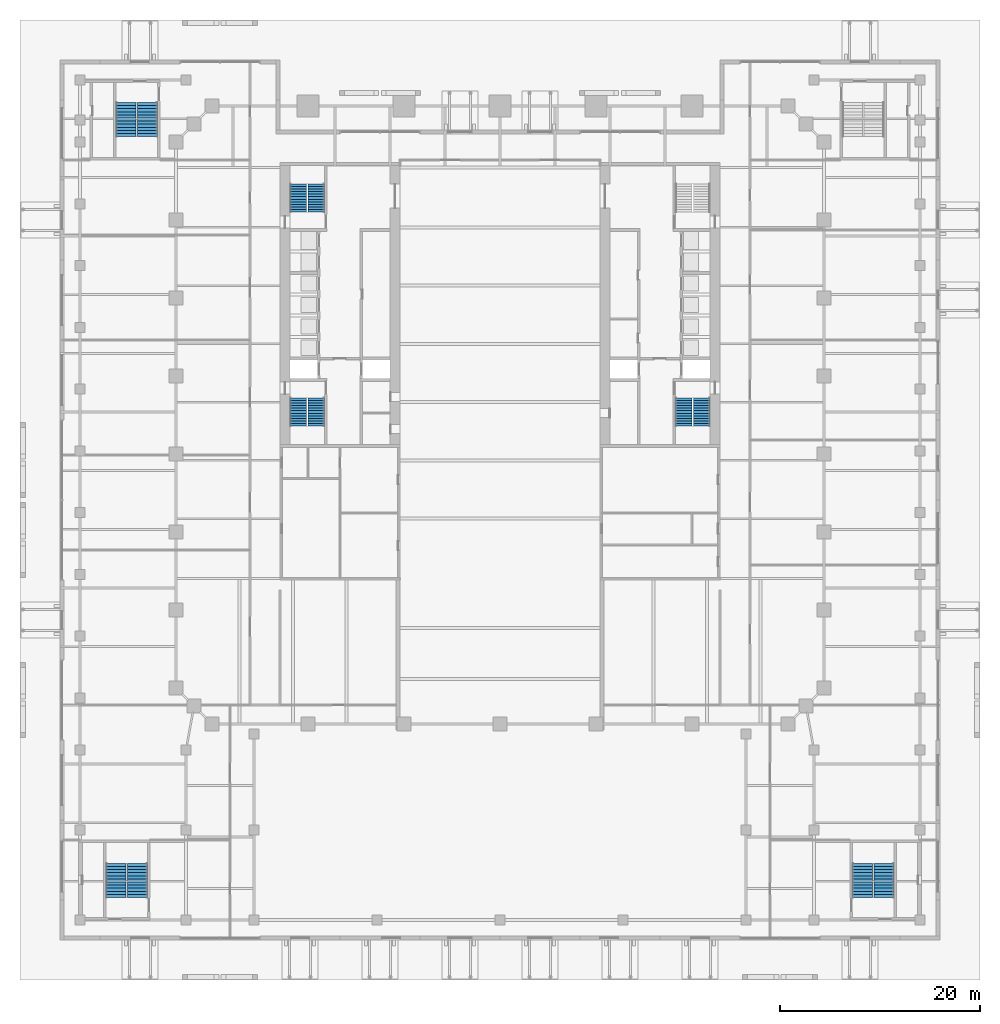
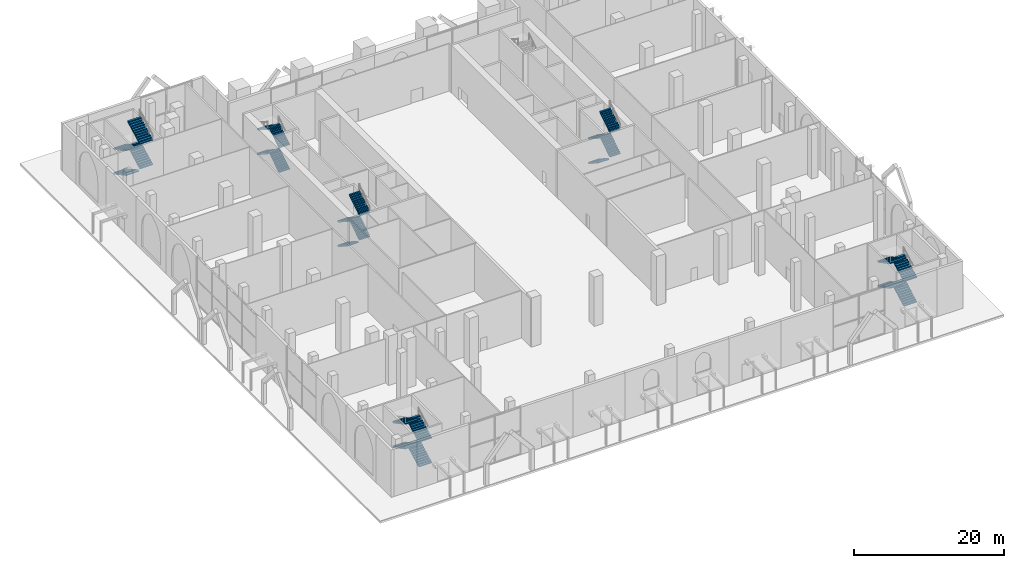
# One storey, part 35 of 38: 24 stair flights, 6 elements without a shape of their own.
"""IFC4 building model written with IfcOpenShell, lengths in metres."""

import ifcopenshell
import ifcopenshell.guid

model = None  # the IFC model being written
_history = None  # IfcOwnerHistory: only IFC2X3 demands one
_inside = {}  # id of a spatial element -> (the spatial element, [elements in it])
_under = {}  # id of a project, library or spatial element -> (it, [spatial elements below it])
_declared = {}  # id of a project -> (the project, [libraries it declares])
_typed = {}  # id of a type object -> (the type object, [elements of that type])
_made_of = {}  # id of a material, layer set ... -> (it, [elements and type objects made of it])


def new_model(schema):
    """Start an empty IFC model of exactly this schema.

    Asked for "IFC4X3", IfcOpenShell would pick the latest addendum, in which some entities
    have other attributes; the version numbers below select the first issue.
    IFC2X3 requires an IfcOwnerHistory on every rooted entity: one is made here for all.
    """
    global model, _history
    if schema == "IFC4X3":
        model = ifcopenshell.file(schema_version=(4, 3, 0, 0))
    else:
        model = ifcopenshell.file(schema=schema)
    _inside.clear()
    _under.clear()
    _declared.clear()
    _typed.clear()
    _made_of.clear()
    _history = None
    if model.schema == "IFC2X3":
        org = make("IfcOrganization", Name="unknown")
        user = make(
            "IfcPersonAndOrganization",
            ThePerson=make("IfcPerson", FamilyName="unknown"),
            TheOrganization=org,
        )
        app = make(
            "IfcApplication",
            ApplicationDeveloper=org,
            Version="unknown",
            ApplicationFullName="unknown",
            ApplicationIdentifier="unknown",
        )
        _history = make(
            "IfcOwnerHistory",
            OwningUser=user,
            OwningApplication=app,
            ChangeAction="ADDED",
            CreationDate=0,
        )
    return model


def make(cls, **values):
    """One entity of the class cls with the attributes given. An attribute that is None is left unset."""
    return model.create_entity(
        cls, **{name: value for name, value in values.items() if value is not None}
    )


def rooted(cls, **values):
    """An entity with a GlobalId (a new one), such as an element, a storey or a relation."""
    return make(cls, GlobalId=ifcopenshell.guid.new(), OwnerHistory=_history, **values)


def si_unit(unit_type, name, prefix=None):
    """IfcSIUnit, for example si_unit("LENGTHUNIT", "METRE", prefix="MILLI")."""
    return make("IfcSIUnit", UnitType=unit_type, Prefix=prefix, Name=name)


def assignment(units):
    """IfcUnitAssignment: the units of a project."""
    return None if units is None else make("IfcUnitAssignment", Units=units)


def point(xyz):
    """IfcCartesianPoint."""
    return None if xyz is None else make("IfcCartesianPoint", Coordinates=xyz)


def direction(xyz):
    """IfcDirection."""
    return None if xyz is None else make("IfcDirection", DirectionRatios=xyz)


def frame(location, z_axis=None, x_axis=None):
    """IfcAxis2Placement3D, a coordinate frame: its origin and axes. An axis left out is left unset."""
    return make(
        "IfcAxis2Placement3D",
        Location=point(location),
        Axis=direction(z_axis),
        RefDirection=direction(x_axis),
    )


def origin():
    """The frame at (0, 0, 0) with its axes left unset."""
    return frame((0.0, 0.0, 0.0))


def place(relative_to, where):
    """IfcLocalPlacement: puts the frame where relative to a parent placement (None: the world)."""
    return make(
        "IfcLocalPlacement", PlacementRelTo=relative_to, RelativePlacement=where
    )


def context(
    kind, dimensions, precision=None, world=None, true_north=None, identifier=None
):
    """IfcGeometricRepresentationContext, for example the 3D "Model" context."""
    return make(
        "IfcGeometricRepresentationContext",
        ContextIdentifier=identifier,
        ContextType=kind,
        CoordinateSpaceDimension=dimensions,
        Precision=precision,
        WorldCoordinateSystem=world,
        TrueNorth=true_north,
    )


def subcontext(parent, identifier, kind, view, scale=None):
    """IfcGeometricRepresentationSubContext, for example "Body" below "Model"."""
    return make(
        "IfcGeometricRepresentationSubContext",
        ContextIdentifier=identifier,
        ContextType=kind,
        ParentContext=parent,
        TargetScale=scale,
        TargetView=view,
    )


def project(units=None, contexts=None):
    """IfcProject with its units and contexts."""
    return rooted(
        "IfcProject",
        Name="project",
        RepresentationContexts=contexts,
        UnitsInContext=assignment(units),
    )


def spatial(cls, under=None, at=None, **own):
    """A site, building, storey or space (cls), placed at a placement, below another one or the project."""
    s = rooted(cls, ObjectPlacement=at, **own)
    if under is not None:
        _under.setdefault(under.id(), (under, []))[1].append(s)
    return s


def polyline(points):
    """IfcPolyline through the points."""
    return make("IfcPolyline", Points=[point(p) for p in points])


def outline(outer, holes=None, kind="AREA"):
    """IfcArbitraryClosedProfileDef: a profile drawn as a closed curve; with holes, ...WithVoids."""
    if holes is None:
        return make("IfcArbitraryClosedProfileDef", ProfileType=kind, OuterCurve=outer)
    return make(
        "IfcArbitraryProfileDefWithVoids",
        ProfileType=kind,
        OuterCurve=outer,
        InnerCurves=holes,
    )


def extrude(swept, where, along, depth):
    """IfcExtrudedAreaSolid: the profile swept, set in the frame where, extruded along a direction by depth."""
    return make(
        "IfcExtrudedAreaSolid",
        SweptArea=swept,
        Position=where,
        ExtrudedDirection=direction(along),
        Depth=depth,
    )


def shape(context_of_items, identifier, shape_type, items):
    """IfcShapeRepresentation: the items that make up one representation, for example the "Body"."""
    return make(
        "IfcShapeRepresentation",
        ContextOfItems=context_of_items,
        RepresentationIdentifier=identifier,
        RepresentationType=shape_type,
        Items=items,
    )


def material(Name=None, Category=None):
    """IfcMaterial."""
    return make("IfcMaterial", Name=Name, Category=Category)


def made_of(thing, what):
    """Note that an element or type object is made of a material, layer set ...; save() writes the relation."""
    if what is not None:
        _made_of.setdefault(what.id(), (what, []))[1].append(thing)
    return thing


def type_object(cls, material=None, **own):
    """A type object (cls), such as IfcWallType, which elements share."""
    return made_of(rooted(cls, **own), material)


def element(
    cls,
    number,
    at=None,
    inside=None,
    cuts=None,
    type_object=None,
    material=None,
    context=None,
    identifier="Body",
    shape_type=None,
    held_by="IfcProductDefinitionShape",
    body=None,
    shapes=None,
    **own,
):
    """One element of the class cls, such as IfcWall. Its Tag is "e" and its number.

    at: its placement. inside: the storey or other place that contains it. cuts: it is an
    opening in that element (IfcRelVoidsElement). A single representation is given by context,
    identifier, shape_type and body (its items); several are given by shapes. held_by: the class
    of the entity that holds the representations. save() writes the other relations.
    """
    e = rooted(cls, Tag="e%d" % number, ObjectPlacement=at, **own)
    if body is not None:
        shapes = [shape(context, identifier, shape_type, body)]
    if shapes is not None:
        e.Representation = make(held_by, Representations=shapes)
    if inside is not None:
        _inside.setdefault(inside.id(), (inside, []))[1].append(e)
    if cuts is not None:
        rooted(
            "IfcRelVoidsElement", RelatingBuildingElement=cuts, RelatedOpeningElement=e
        )
    if type_object is not None:
        _typed.setdefault(type_object.id(), (type_object, []))[1].append(e)
    return made_of(e, material)


def aggregate(whole, parts):
    """IfcRelAggregates: a whole, such as a stair, and the parts it consists of."""
    return rooted("IfcRelAggregates", RelatingObject=whole, RelatedObjects=parts)


def save(model, path):
    """Write the relations noted so far, then the file.

    IfcRelAggregates (storeys below a building ...), IfcRelContainedInSpatialStructure (elements
    in a storey), IfcRelDefinesByType, IfcRelAssociatesMaterial and IfcRelDeclares: one each for
    every whole, place, type object, material and project.
    """
    for whole, parts in _under.values():
        aggregate(whole, parts)
    for where, things in _inside.values():
        rooted(
            "IfcRelContainedInSpatialStructure",
            RelatedElements=things,
            RelatingStructure=where,
        )
    for kind, things in _typed.values():
        rooted("IfcRelDefinesByType", RelatedObjects=things, RelatingType=kind)
    for what, things in _made_of.values():
        rooted("IfcRelAssociatesMaterial", RelatedObjects=things, RelatingMaterial=what)
    for by, libraries in _declared.values():
        rooted("IfcRelDeclares", RelatingContext=by, RelatedDefinitions=libraries)
    model.write(path)


model = new_model("IFC4")

# Units and contexts
model_context = context("Model", 3, precision=1e-05, world=origin(), true_north=direction((0.0, 1.0)))
body_context = subcontext(model_context, "Body", "Model", "MODEL_VIEW")
ifc_project = project(units=[si_unit("LENGTHUNIT", "METRE"), si_unit("AREAUNIT", "SQUARE_METRE"), si_unit("VOLUMEUNIT", "CUBIC_METRE"), si_unit("PLANEANGLEUNIT", "RADIAN"), si_unit("MASSUNIT", "GRAM", prefix="KILO")], contexts=[model_context])

# Site, building, storey
site_placement = place(None, origin())
site = spatial("IfcSite", under=ifc_project, at=site_placement, CompositionType="ELEMENT")
building_placement = place(site_placement, origin())
building = spatial("IfcBuilding", under=site, at=building_placement, Name="Ogive Exchange Tower", CompositionType="ELEMENT")
storey_placement = place(building_placement, origin())
storey = spatial("IfcBuildingStorey", under=building, at=storey_placement, Name="L00", CompositionType="ELEMENT", Elevation=0.0)

# Stair, stair flights
ifc_material = material(Name="Concrete C40/50", Category="concrete")
stair_type_1 = type_object("IfcStairType", Name="Exit stair 1650 wide", PredefinedType="HALF_TURN_STAIR", material=ifc_material)
stair_1_placement = place(storey_placement, origin())
stair_1 = element("IfcStair", 1, at=stair_1_placement, inside=storey, type_object=stair_type_1, Name="L00 exit stair ST1", PredefinedType="HALF_TURN_STAIR")
stair_flight_type_1 = type_object("IfcStairFlightType", Name="Stair flight 1650 wide", PredefinedType="STRAIGHT", material=ifc_material)
stair_flight_1_placement = place(storey_placement, frame((-20.175048828125, 2.199951171875, 0.0), z_axis=(0.0, 0.0, 1.0), x_axis=(0.0, -1.0, 0.0)))
stair_flight_1 = element("IfcStairFlight", 2, at=stair_flight_1_placement, type_object=stair_flight_type_1, Name="ST1 flight 1", NumberOfRisers=12, NumberOfTreads=11, PredefinedType="STRAIGHT", RiserHeight=0.166666667, TreadLength=0.255, context=body_context, shape_type="SweptSolid", body=[
    extrude(outline(polyline([(0.0, 0.0), (0.0, 0.166748046875), (0.2548828125, 0.166748046875), (0.2548828125, 0.333251953125), (0.510009765625, 0.333251953125), (0.510009765625, 0.5), (0.764892578125, 0.5), (0.764892578125, 0.666748046875), (1.02001953125, 0.666748046875), (1.02001953125, 0.833251953125), (1.27490234375, 0.833251953125), (1.27490234375, 1.0), (1.530029296875, 1.0), (1.530029296875, 1.166748046875), (1.784912109375, 1.166748046875), (1.784912109375, 1.333251953125), (2.0400390625, 1.333251953125), (2.0400390625, 1.5), (2.294921875, 1.5), (2.294921875, 1.666748046875), (2.550048828125, 1.666748046875), (2.550048828125, 1.833251953125), (2.804931640625, 1.833251953125), (2.804931640625, 2.0), (2.804931640625, 1.654296875), (0.27392578125, 0.0), (0.0, 0.0)])), frame((0.0, 0.824951171875, 0.0), z_axis=(0.0, -1.0, 0.0), x_axis=(1.0, 0.0, 0.0)), (0.0, 0.0, 1.0), 1.64990234375),
])
stair_flight_2_placement = place(storey_placement, frame((-18.375, -0.60498046875, 2.0), z_axis=(0.0, 0.0, 1.0), x_axis=(0.0, 1.0, 0.0)))
stair_flight_2 = element("IfcStairFlight", 3, at=stair_flight_2_placement, type_object=stair_flight_type_1, Name="ST1 flight 2", NumberOfRisers=12, NumberOfTreads=11, PredefinedType="STRAIGHT", RiserHeight=0.166666667, TreadLength=0.255, context=body_context, shape_type="SweptSolid", body=[
    extrude(outline(polyline([(0.0, 0.0), (0.0, 0.166748046875), (0.2548828125, 0.166748046875), (0.2548828125, 0.333251953125), (0.510009765625, 0.333251953125), (0.510009765625, 0.5), (0.764892578125, 0.5), (0.764892578125, 0.666748046875), (1.02001953125, 0.666748046875), (1.02001953125, 0.833251953125), (1.27490234375, 0.833251953125), (1.27490234375, 1.0), (1.530029296875, 1.0), (1.530029296875, 1.166748046875), (1.784912109375, 1.166748046875), (1.784912109375, 1.333251953125), (2.0400390625, 1.333251953125), (2.0400390625, 1.5), (2.294921875, 1.5), (2.294921875, 1.666748046875), (2.550048828125, 1.666748046875), (2.550048828125, 1.833251953125), (2.804931640625, 1.833251953125), (2.804931640625, 2.0), (2.804931640625, 1.654296875), (0.27392578125, 0.0), (0.0, 0.0)])), frame((0.0, 0.824951171875, 0.0), z_axis=(0.0, -1.0, 0.0), x_axis=(1.0, 0.0, 0.0)), (0.0, 0.0, 1.0), 1.64990234375),
])
stair_flight_3_placement = place(storey_placement, frame((-20.175048828125, 2.199951171875, 4.0), z_axis=(0.0, 0.0, 1.0), x_axis=(0.0, -1.0, 0.0)))
stair_flight_3 = element("IfcStairFlight", 4, at=stair_flight_3_placement, type_object=stair_flight_type_1, Name="ST1 flight 3", NumberOfRisers=12, NumberOfTreads=11, PredefinedType="STRAIGHT", RiserHeight=0.166666667, TreadLength=0.255, context=body_context, shape_type="SweptSolid", body=[
    extrude(outline(polyline([(0.0, 0.0), (0.0, 0.166748046875), (0.2548828125, 0.166748046875), (0.2548828125, 0.333251953125), (0.510009765625, 0.333251953125), (0.510009765625, 0.5), (0.764892578125, 0.5), (0.764892578125, 0.666748046875), (1.02001953125, 0.666748046875), (1.02001953125, 0.833251953125), (1.27490234375, 0.833251953125), (1.27490234375, 1.0), (1.530029296875, 1.0), (1.530029296875, 1.166748046875), (1.784912109375, 1.166748046875), (1.784912109375, 1.333251953125), (2.0400390625, 1.333251953125), (2.0400390625, 1.5), (2.294921875, 1.5), (2.294921875, 1.666748046875), (2.550048828125, 1.666748046875), (2.550048828125, 1.833251953125), (2.804931640625, 1.833251953125), (2.804931640625, 2.0), (2.804931640625, 1.654296875), (0.27392578125, 0.0), (0.0, 0.0)])), frame((0.0, 0.824951171875, 0.0), z_axis=(0.0, -1.0, 0.0), x_axis=(1.0, 0.0, 0.0)), (0.0, 0.0, 1.0), 1.64990234375),
])
stair_flight_4_placement = place(storey_placement, frame((-18.375, -0.60498046875, 6.0), z_axis=(0.0, 0.0, 1.0), x_axis=(0.0, 1.0, 0.0)))
stair_flight_4 = element("IfcStairFlight", 5, at=stair_flight_4_placement, type_object=stair_flight_type_1, Name="ST1 flight 4", NumberOfRisers=12, NumberOfTreads=11, PredefinedType="STRAIGHT", RiserHeight=0.166666667, TreadLength=0.255, context=body_context, shape_type="SweptSolid", body=[
    extrude(outline(polyline([(0.0, 0.0), (0.0, 0.166748046875), (0.2548828125, 0.166748046875), (0.2548828125, 0.333251953125), (0.510009765625, 0.333251953125), (0.510009765625, 0.5), (0.764892578125, 0.5), (0.764892578125, 0.666748046875), (1.02001953125, 0.666748046875), (1.02001953125, 0.833251953125), (1.27490234375, 0.833251953125), (1.27490234375, 1.0), (1.530029296875, 1.0), (1.530029296875, 1.166748046875), (1.784912109375, 1.166748046875), (1.784912109375, 1.333251953125), (2.0400390625, 1.333251953125), (2.0400390625, 1.5), (2.294921875, 1.5), (2.294921875, 1.666748046875), (2.550048828125, 1.666748046875), (2.550048828125, 1.833251953125), (2.804931640625, 1.833251953125), (2.804931640625, 2.0), (2.804931640625, 1.654296875), (0.27392578125, 0.0), (0.0, 0.0)])), frame((0.0, 0.824951171875, 0.0), z_axis=(0.0, -1.0, 0.0), x_axis=(1.0, 0.0, 0.0)), (0.0, 0.0, 1.0), 1.64990234375),
])
aggregate(stair_1, [stair_flight_1, stair_flight_2, stair_flight_3, stair_flight_4])

stair_2_placement = place(storey_placement, origin())
stair_2 = element("IfcStair", 6, at=stair_2_placement, inside=storey, type_object=stair_type_1, Name="L00 exit stair ST2", PredefinedType="HALF_TURN_STAIR")
stair_flight_5_placement = place(storey_placement, frame((-18.375, 20.800048828125, 0.0), z_axis=(0.0, 0.0, 1.0), x_axis=(0.0, 1.0, 0.0)))
stair_flight_5 = element("IfcStairFlight", 7, at=stair_flight_5_placement, type_object=stair_flight_type_1, Name="ST2 flight 1", NumberOfRisers=12, NumberOfTreads=11, PredefinedType="STRAIGHT", RiserHeight=0.166666667, TreadLength=0.255, context=body_context, shape_type="SweptSolid", body=[
    extrude(outline(polyline([(0.0, 0.0), (0.0, 0.166748046875), (0.2548828125, 0.166748046875), (0.2548828125, 0.333251953125), (0.510009765625, 0.333251953125), (0.510009765625, 0.5), (0.764892578125, 0.5), (0.764892578125, 0.666748046875), (1.02001953125, 0.666748046875), (1.02001953125, 0.833251953125), (1.27490234375, 0.833251953125), (1.27490234375, 1.0), (1.530029296875, 1.0), (1.530029296875, 1.166748046875), (1.784912109375, 1.166748046875), (1.784912109375, 1.333251953125), (2.0400390625, 1.333251953125), (2.0400390625, 1.5), (2.294921875, 1.5), (2.294921875, 1.666748046875), (2.550048828125, 1.666748046875), (2.550048828125, 1.833251953125), (2.804931640625, 1.833251953125), (2.804931640625, 2.0), (2.804931640625, 1.654296875), (0.27392578125, 0.0), (0.0, 0.0)])), frame((0.0, 0.824951171875, 0.0), z_axis=(0.0, -1.0, 0.0), x_axis=(1.0, 0.0, 0.0)), (0.0, 0.0, 1.0), 1.64990234375),
])
stair_flight_6_placement = place(storey_placement, frame((-20.175048828125, 23.60498046875, 2.0), z_axis=(0.0, 0.0, 1.0), x_axis=(0.0, -1.0, 0.0)))
stair_flight_6 = element("IfcStairFlight", 8, at=stair_flight_6_placement, type_object=stair_flight_type_1, Name="ST2 flight 2", NumberOfRisers=12, NumberOfTreads=11, PredefinedType="STRAIGHT", RiserHeight=0.166666667, TreadLength=0.255, context=body_context, shape_type="SweptSolid", body=[
    extrude(outline(polyline([(0.0, 0.0), (0.0, 0.166748046875), (0.2548828125, 0.166748046875), (0.2548828125, 0.333251953125), (0.510009765625, 0.333251953125), (0.510009765625, 0.5), (0.764892578125, 0.5), (0.764892578125, 0.666748046875), (1.02001953125, 0.666748046875), (1.02001953125, 0.833251953125), (1.27490234375, 0.833251953125), (1.27490234375, 1.0), (1.530029296875, 1.0), (1.530029296875, 1.166748046875), (1.784912109375, 1.166748046875), (1.784912109375, 1.333251953125), (2.0400390625, 1.333251953125), (2.0400390625, 1.5), (2.294921875, 1.5), (2.294921875, 1.666748046875), (2.550048828125, 1.666748046875), (2.550048828125, 1.833251953125), (2.804931640625, 1.833251953125), (2.804931640625, 2.0), (2.804931640625, 1.654296875), (0.27392578125, 0.0), (0.0, 0.0)])), frame((0.0, 0.824951171875, 0.0), z_axis=(0.0, -1.0, 0.0), x_axis=(1.0, 0.0, 0.0)), (0.0, 0.0, 1.0), 1.64990234375),
])
stair_flight_7_placement = place(storey_placement, frame((-18.375, 20.800048828125, 4.0), z_axis=(0.0, 0.0, 1.0), x_axis=(0.0, 1.0, 0.0)))
stair_flight_7 = element("IfcStairFlight", 9, at=stair_flight_7_placement, type_object=stair_flight_type_1, Name="ST2 flight 3", NumberOfRisers=12, NumberOfTreads=11, PredefinedType="STRAIGHT", RiserHeight=0.166666667, TreadLength=0.255, context=body_context, shape_type="SweptSolid", body=[
    extrude(outline(polyline([(0.0, 0.0), (0.0, 0.166748046875), (0.2548828125, 0.166748046875), (0.2548828125, 0.333251953125), (0.510009765625, 0.333251953125), (0.510009765625, 0.5), (0.764892578125, 0.5), (0.764892578125, 0.666748046875), (1.02001953125, 0.666748046875), (1.02001953125, 0.833251953125), (1.27490234375, 0.833251953125), (1.27490234375, 1.0), (1.530029296875, 1.0), (1.530029296875, 1.166748046875), (1.784912109375, 1.166748046875), (1.784912109375, 1.333251953125), (2.0400390625, 1.333251953125), (2.0400390625, 1.5), (2.294921875, 1.5), (2.294921875, 1.666748046875), (2.550048828125, 1.666748046875), (2.550048828125, 1.833251953125), (2.804931640625, 1.833251953125), (2.804931640625, 2.0), (2.804931640625, 1.654296875), (0.27392578125, 0.0), (0.0, 0.0)])), frame((0.0, 0.824951171875, 0.0), z_axis=(0.0, -1.0, 0.0), x_axis=(1.0, 0.0, 0.0)), (0.0, 0.0, 1.0), 1.64990234375),
])
stair_flight_8_placement = place(storey_placement, frame((-20.175048828125, 23.60498046875, 6.0), z_axis=(0.0, 0.0, 1.0), x_axis=(0.0, -1.0, 0.0)))
stair_flight_8 = element("IfcStairFlight", 10, at=stair_flight_8_placement, type_object=stair_flight_type_1, Name="ST2 flight 4", NumberOfRisers=12, NumberOfTreads=11, PredefinedType="STRAIGHT", RiserHeight=0.166666667, TreadLength=0.255, context=body_context, shape_type="SweptSolid", body=[
    extrude(outline(polyline([(0.0, 0.0), (0.0, 0.166748046875), (0.2548828125, 0.166748046875), (0.2548828125, 0.333251953125), (0.510009765625, 0.333251953125), (0.510009765625, 0.5), (0.764892578125, 0.5), (0.764892578125, 0.666748046875), (1.02001953125, 0.666748046875), (1.02001953125, 0.833251953125), (1.27490234375, 0.833251953125), (1.27490234375, 1.0), (1.530029296875, 1.0), (1.530029296875, 1.166748046875), (1.784912109375, 1.166748046875), (1.784912109375, 1.333251953125), (2.0400390625, 1.333251953125), (2.0400390625, 1.5), (2.294921875, 1.5), (2.294921875, 1.666748046875), (2.550048828125, 1.666748046875), (2.550048828125, 1.833251953125), (2.804931640625, 1.833251953125), (2.804931640625, 2.0), (2.804931640625, 1.654296875), (0.27392578125, 0.0), (0.0, 0.0)])), frame((0.0, 0.824951171875, 0.0), z_axis=(0.0, -1.0, 0.0), x_axis=(1.0, 0.0, 0.0)), (0.0, 0.0, 1.0), 1.64990234375),
])
aggregate(stair_2, [stair_flight_5, stair_flight_6, stair_flight_7, stair_flight_8])

stair_3_placement = place(storey_placement, origin())
stair_3 = element("IfcStair", 11, at=stair_3_placement, inside=storey, type_object=stair_type_1, Name="L00 exit stair ST3", PredefinedType="HALF_TURN_STAIR")
stair_flight_9_placement = place(storey_placement, frame((18.375, 2.199951171875, 0.0), z_axis=(0.0, 0.0, 1.0), x_axis=(0.0, -1.0, 0.0)))
stair_flight_9 = element("IfcStairFlight", 12, at=stair_flight_9_placement, type_object=stair_flight_type_1, Name="ST3 flight 1", NumberOfRisers=12, NumberOfTreads=11, PredefinedType="STRAIGHT", RiserHeight=0.166666667, TreadLength=0.255, context=body_context, shape_type="SweptSolid", body=[
    extrude(outline(polyline([(0.0, 0.0), (0.0, 0.166748046875), (0.2548828125, 0.166748046875), (0.2548828125, 0.333251953125), (0.510009765625, 0.333251953125), (0.510009765625, 0.5), (0.764892578125, 0.5), (0.764892578125, 0.666748046875), (1.02001953125, 0.666748046875), (1.02001953125, 0.833251953125), (1.27490234375, 0.833251953125), (1.27490234375, 1.0), (1.530029296875, 1.0), (1.530029296875, 1.166748046875), (1.784912109375, 1.166748046875), (1.784912109375, 1.333251953125), (2.0400390625, 1.333251953125), (2.0400390625, 1.5), (2.294921875, 1.5), (2.294921875, 1.666748046875), (2.550048828125, 1.666748046875), (2.550048828125, 1.833251953125), (2.804931640625, 1.833251953125), (2.804931640625, 2.0), (2.804931640625, 1.654296875), (0.27392578125, 0.0), (0.0, 0.0)])), frame((0.0, 0.824951171875, 0.0), z_axis=(0.0, -1.0, 0.0), x_axis=(1.0, 0.0, 0.0)), (0.0, 0.0, 1.0), 1.64990234375),
])
stair_flight_10_placement = place(storey_placement, frame((20.175048828125, -0.60498046875, 2.0), z_axis=(0.0, 0.0, 1.0), x_axis=(0.0, 1.0, 0.0)))
stair_flight_10 = element("IfcStairFlight", 13, at=stair_flight_10_placement, type_object=stair_flight_type_1, Name="ST3 flight 2", NumberOfRisers=12, NumberOfTreads=11, PredefinedType="STRAIGHT", RiserHeight=0.166666667, TreadLength=0.255, context=body_context, shape_type="SweptSolid", body=[
    extrude(outline(polyline([(0.0, 0.0), (0.0, 0.166748046875), (0.2548828125, 0.166748046875), (0.2548828125, 0.333251953125), (0.510009765625, 0.333251953125), (0.510009765625, 0.5), (0.764892578125, 0.5), (0.764892578125, 0.666748046875), (1.02001953125, 0.666748046875), (1.02001953125, 0.833251953125), (1.27490234375, 0.833251953125), (1.27490234375, 1.0), (1.530029296875, 1.0), (1.530029296875, 1.166748046875), (1.784912109375, 1.166748046875), (1.784912109375, 1.333251953125), (2.0400390625, 1.333251953125), (2.0400390625, 1.5), (2.294921875, 1.5), (2.294921875, 1.666748046875), (2.550048828125, 1.666748046875), (2.550048828125, 1.833251953125), (2.804931640625, 1.833251953125), (2.804931640625, 2.0), (2.804931640625, 1.654296875), (0.27392578125, 0.0), (0.0, 0.0)])), frame((0.0, 0.824951171875, 0.0), z_axis=(0.0, -1.0, 0.0), x_axis=(1.0, 0.0, 0.0)), (0.0, 0.0, 1.0), 1.64990234375),
])
stair_flight_11_placement = place(storey_placement, frame((18.375, 2.199951171875, 4.0), z_axis=(0.0, 0.0, 1.0), x_axis=(0.0, -1.0, 0.0)))
stair_flight_11 = element("IfcStairFlight", 14, at=stair_flight_11_placement, type_object=stair_flight_type_1, Name="ST3 flight 3", NumberOfRisers=12, NumberOfTreads=11, PredefinedType="STRAIGHT", RiserHeight=0.166666667, TreadLength=0.255, context=body_context, shape_type="SweptSolid", body=[
    extrude(outline(polyline([(0.0, 0.0), (0.0, 0.166748046875), (0.2548828125, 0.166748046875), (0.2548828125, 0.333251953125), (0.510009765625, 0.333251953125), (0.510009765625, 0.5), (0.764892578125, 0.5), (0.764892578125, 0.666748046875), (1.02001953125, 0.666748046875), (1.02001953125, 0.833251953125), (1.27490234375, 0.833251953125), (1.27490234375, 1.0), (1.530029296875, 1.0), (1.530029296875, 1.166748046875), (1.784912109375, 1.166748046875), (1.784912109375, 1.333251953125), (2.0400390625, 1.333251953125), (2.0400390625, 1.5), (2.294921875, 1.5), (2.294921875, 1.666748046875), (2.550048828125, 1.666748046875), (2.550048828125, 1.833251953125), (2.804931640625, 1.833251953125), (2.804931640625, 2.0), (2.804931640625, 1.654296875), (0.27392578125, 0.0), (0.0, 0.0)])), frame((0.0, 0.824951171875, 0.0), z_axis=(0.0, -1.0, 0.0), x_axis=(1.0, 0.0, 0.0)), (0.0, 0.0, 1.0), 1.64990234375),
])
stair_flight_12_placement = place(storey_placement, frame((20.175048828125, -0.60498046875, 6.0), z_axis=(0.0, 0.0, 1.0), x_axis=(0.0, 1.0, 0.0)))
stair_flight_12 = element("IfcStairFlight", 15, at=stair_flight_12_placement, type_object=stair_flight_type_1, Name="ST3 flight 4", NumberOfRisers=12, NumberOfTreads=11, PredefinedType="STRAIGHT", RiserHeight=0.166666667, TreadLength=0.255, context=body_context, shape_type="SweptSolid", body=[
    extrude(outline(polyline([(0.0, 0.0), (0.0, 0.166748046875), (0.2548828125, 0.166748046875), (0.2548828125, 0.333251953125), (0.510009765625, 0.333251953125), (0.510009765625, 0.5), (0.764892578125, 0.5), (0.764892578125, 0.666748046875), (1.02001953125, 0.666748046875), (1.02001953125, 0.833251953125), (1.27490234375, 0.833251953125), (1.27490234375, 1.0), (1.530029296875, 1.0), (1.530029296875, 1.166748046875), (1.784912109375, 1.166748046875), (1.784912109375, 1.333251953125), (2.0400390625, 1.333251953125), (2.0400390625, 1.5), (2.294921875, 1.5), (2.294921875, 1.666748046875), (2.550048828125, 1.666748046875), (2.550048828125, 1.833251953125), (2.804931640625, 1.833251953125), (2.804931640625, 2.0), (2.804931640625, 1.654296875), (0.27392578125, 0.0), (0.0, 0.0)])), frame((0.0, 0.824951171875, 0.0), z_axis=(0.0, -1.0, 0.0), x_axis=(1.0, 0.0, 0.0)), (0.0, 0.0, 1.0), 1.64990234375),
])
aggregate(stair_3, [stair_flight_9, stair_flight_10, stair_flight_11, stair_flight_12])

stair_type_2 = type_object("IfcStairType", Name="Exit stair 2000 wide", PredefinedType="HALF_TURN_STAIR", material=ifc_material)
stair_4_placement = place(storey_placement, origin())
stair_4 = element("IfcStair", 16, at=stair_4_placement, inside=storey, type_object=stair_type_2, Name="L00 exit stair PS1", PredefinedType="HALF_TURN_STAIR")
stair_flight_type_2 = type_object("IfcStairFlightType", Name="Stair flight 2000 wide", PredefinedType="STRAIGHT", material=ifc_material)
stair_flight_13_placement = place(storey_placement, frame((-36.25, -47.75, 0.0), z_axis=(0.0, 0.0, 1.0), x_axis=(0.0, 1.0, 0.0)))
stair_flight_13 = element("IfcStairFlight", 17, at=stair_flight_13_placement, type_object=stair_flight_type_2, Name="PS1 flight 1", NumberOfRisers=12, NumberOfTreads=11, PredefinedType="STRAIGHT", RiserHeight=0.166666667, TreadLength=0.31, context=body_context, shape_type="SweptSolid", body=[
    extrude(outline(polyline([(0.0, 0.0), (0.0, 0.166748046875), (0.31005859375, 0.166748046875), (0.31005859375, 0.333251953125), (0.6201171875, 0.333251953125), (0.6201171875, 0.5), (0.929931640625, 0.5), (0.929931640625, 0.666748046875), (1.239990234375, 0.666748046875), (1.239990234375, 0.833251953125), (1.550048828125, 0.833251953125), (1.550048828125, 1.0), (1.860107421875, 1.0), (1.860107421875, 1.166748046875), (2.169921875, 1.166748046875), (2.169921875, 1.333251953125), (2.47998046875, 1.333251953125), (2.47998046875, 1.5), (2.7900390625, 1.5), (2.7900390625, 1.666748046875), (3.10009765625, 1.666748046875), (3.10009765625, 1.833251953125), (3.409912109375, 1.833251953125), (3.409912109375, 2.0), (3.409912109375, 1.6630859375), (0.316650390625, 0.0), (0.0, 0.0)])), frame((0.0, 1.0, 0.0), z_axis=(0.0, -1.0, 0.0), x_axis=(1.0, 0.0, 0.0)), (0.0, 0.0, 1.0), 2.0),
])
stair_flight_14_placement = place(storey_placement, frame((-38.39990234375, -44.340087890625, 2.0), z_axis=(0.0, 0.0, 1.0), x_axis=(0.0, -1.0, 0.0)))
stair_flight_14 = element("IfcStairFlight", 18, at=stair_flight_14_placement, type_object=stair_flight_type_2, Name="PS1 flight 2", NumberOfRisers=12, NumberOfTreads=11, PredefinedType="STRAIGHT", RiserHeight=0.166666667, TreadLength=0.31, context=body_context, shape_type="SweptSolid", body=[
    extrude(outline(polyline([(0.0, 0.0), (0.0, 0.166748046875), (0.31005859375, 0.166748046875), (0.31005859375, 0.333251953125), (0.6201171875, 0.333251953125), (0.6201171875, 0.5), (0.929931640625, 0.5), (0.929931640625, 0.666748046875), (1.239990234375, 0.666748046875), (1.239990234375, 0.833251953125), (1.550048828125, 0.833251953125), (1.550048828125, 1.0), (1.860107421875, 1.0), (1.860107421875, 1.166748046875), (2.169921875, 1.166748046875), (2.169921875, 1.333251953125), (2.47998046875, 1.333251953125), (2.47998046875, 1.5), (2.7900390625, 1.5), (2.7900390625, 1.666748046875), (3.10009765625, 1.666748046875), (3.10009765625, 1.833251953125), (3.409912109375, 1.833251953125), (3.409912109375, 2.0), (3.409912109375, 1.6630859375), (0.316650390625, 0.0), (0.0, 0.0)])), frame((0.0, 1.0, 0.0), z_axis=(0.0, -1.0, 0.0), x_axis=(1.0, 0.0, 0.0)), (0.0, 0.0, 1.0), 2.0),
])
stair_flight_15_placement = place(storey_placement, frame((-36.25, -47.75, 4.0), z_axis=(0.0, 0.0, 1.0), x_axis=(0.0, 1.0, 0.0)))
stair_flight_15 = element("IfcStairFlight", 19, at=stair_flight_15_placement, type_object=stair_flight_type_2, Name="PS1 flight 3", NumberOfRisers=12, NumberOfTreads=11, PredefinedType="STRAIGHT", RiserHeight=0.166666667, TreadLength=0.31, context=body_context, shape_type="SweptSolid", body=[
    extrude(outline(polyline([(0.0, 0.0), (0.0, 0.166748046875), (0.31005859375, 0.166748046875), (0.31005859375, 0.333251953125), (0.6201171875, 0.333251953125), (0.6201171875, 0.5), (0.929931640625, 0.5), (0.929931640625, 0.666748046875), (1.239990234375, 0.666748046875), (1.239990234375, 0.833251953125), (1.550048828125, 0.833251953125), (1.550048828125, 1.0), (1.860107421875, 1.0), (1.860107421875, 1.166748046875), (2.169921875, 1.166748046875), (2.169921875, 1.333251953125), (2.47998046875, 1.333251953125), (2.47998046875, 1.5), (2.7900390625, 1.5), (2.7900390625, 1.666748046875), (3.10009765625, 1.666748046875), (3.10009765625, 1.833251953125), (3.409912109375, 1.833251953125), (3.409912109375, 2.0), (3.409912109375, 1.6630859375), (0.316650390625, 0.0), (0.0, 0.0)])), frame((0.0, 1.0, 0.0), z_axis=(0.0, -1.0, 0.0), x_axis=(1.0, 0.0, 0.0)), (0.0, 0.0, 1.0), 2.0),
])
stair_flight_16_placement = place(storey_placement, frame((-38.39990234375, -44.340087890625, 6.0), z_axis=(0.0, 0.0, 1.0), x_axis=(0.0, -1.0, 0.0)))
stair_flight_16 = element("IfcStairFlight", 20, at=stair_flight_16_placement, type_object=stair_flight_type_2, Name="PS1 flight 4", NumberOfRisers=12, NumberOfTreads=11, PredefinedType="STRAIGHT", RiserHeight=0.166666667, TreadLength=0.31, context=body_context, shape_type="SweptSolid", body=[
    extrude(outline(polyline([(0.0, 0.0), (0.0, 0.166748046875), (0.31005859375, 0.166748046875), (0.31005859375, 0.333251953125), (0.6201171875, 0.333251953125), (0.6201171875, 0.5), (0.929931640625, 0.5), (0.929931640625, 0.666748046875), (1.239990234375, 0.666748046875), (1.239990234375, 0.833251953125), (1.550048828125, 0.833251953125), (1.550048828125, 1.0), (1.860107421875, 1.0), (1.860107421875, 1.166748046875), (2.169921875, 1.166748046875), (2.169921875, 1.333251953125), (2.47998046875, 1.333251953125), (2.47998046875, 1.5), (2.7900390625, 1.5), (2.7900390625, 1.666748046875), (3.10009765625, 1.666748046875), (3.10009765625, 1.833251953125), (3.409912109375, 1.833251953125), (3.409912109375, 2.0), (3.409912109375, 1.6630859375), (0.316650390625, 0.0), (0.0, 0.0)])), frame((0.0, 1.0, 0.0), z_axis=(0.0, -1.0, 0.0), x_axis=(1.0, 0.0, 0.0)), (0.0, 0.0, 1.0), 2.0),
])
aggregate(stair_4, [stair_flight_13, stair_flight_14, stair_flight_15, stair_flight_16])

stair_5_placement = place(storey_placement, origin())
stair_5 = element("IfcStair", 21, at=stair_5_placement, inside=storey, type_object=stair_type_2, Name="L00 exit stair PS2", PredefinedType="HALF_TURN_STAIR")
stair_flight_17_placement = place(storey_placement, frame((38.39990234375, -47.75, 0.0), z_axis=(0.0, 0.0, 1.0), x_axis=(0.0, 1.0, 0.0)))
stair_flight_17 = element("IfcStairFlight", 22, at=stair_flight_17_placement, type_object=stair_flight_type_2, Name="PS2 flight 1", NumberOfRisers=12, NumberOfTreads=11, PredefinedType="STRAIGHT", RiserHeight=0.166666667, TreadLength=0.31, context=body_context, shape_type="SweptSolid", body=[
    extrude(outline(polyline([(0.0, 0.0), (0.0, 0.166748046875), (0.31005859375, 0.166748046875), (0.31005859375, 0.333251953125), (0.6201171875, 0.333251953125), (0.6201171875, 0.5), (0.929931640625, 0.5), (0.929931640625, 0.666748046875), (1.239990234375, 0.666748046875), (1.239990234375, 0.833251953125), (1.550048828125, 0.833251953125), (1.550048828125, 1.0), (1.860107421875, 1.0), (1.860107421875, 1.166748046875), (2.169921875, 1.166748046875), (2.169921875, 1.333251953125), (2.47998046875, 1.333251953125), (2.47998046875, 1.5), (2.7900390625, 1.5), (2.7900390625, 1.666748046875), (3.10009765625, 1.666748046875), (3.10009765625, 1.833251953125), (3.409912109375, 1.833251953125), (3.409912109375, 2.0), (3.409912109375, 1.6630859375), (0.316650390625, 0.0), (0.0, 0.0)])), frame((0.0, 1.0, 0.0), z_axis=(0.0, -1.0, 0.0), x_axis=(1.0, 0.0, 0.0)), (0.0, 0.0, 1.0), 2.0),
])
stair_flight_18_placement = place(storey_placement, frame((36.25, -44.340087890625, 2.0), z_axis=(0.0, 0.0, 1.0), x_axis=(0.0, -1.0, 0.0)))
stair_flight_18 = element("IfcStairFlight", 23, at=stair_flight_18_placement, type_object=stair_flight_type_2, Name="PS2 flight 2", NumberOfRisers=12, NumberOfTreads=11, PredefinedType="STRAIGHT", RiserHeight=0.166666667, TreadLength=0.31, context=body_context, shape_type="SweptSolid", body=[
    extrude(outline(polyline([(0.0, 0.0), (0.0, 0.166748046875), (0.31005859375, 0.166748046875), (0.31005859375, 0.333251953125), (0.6201171875, 0.333251953125), (0.6201171875, 0.5), (0.929931640625, 0.5), (0.929931640625, 0.666748046875), (1.239990234375, 0.666748046875), (1.239990234375, 0.833251953125), (1.550048828125, 0.833251953125), (1.550048828125, 1.0), (1.860107421875, 1.0), (1.860107421875, 1.166748046875), (2.169921875, 1.166748046875), (2.169921875, 1.333251953125), (2.47998046875, 1.333251953125), (2.47998046875, 1.5), (2.7900390625, 1.5), (2.7900390625, 1.666748046875), (3.10009765625, 1.666748046875), (3.10009765625, 1.833251953125), (3.409912109375, 1.833251953125), (3.409912109375, 2.0), (3.409912109375, 1.6630859375), (0.316650390625, 0.0), (0.0, 0.0)])), frame((0.0, 1.0, 0.0), z_axis=(0.0, -1.0, 0.0), x_axis=(1.0, 0.0, 0.0)), (0.0, 0.0, 1.0), 2.0),
])
stair_flight_19_placement = place(storey_placement, frame((38.39990234375, -47.75, 4.0), z_axis=(0.0, 0.0, 1.0), x_axis=(0.0, 1.0, 0.0)))
stair_flight_19 = element("IfcStairFlight", 24, at=stair_flight_19_placement, type_object=stair_flight_type_2, Name="PS2 flight 3", NumberOfRisers=12, NumberOfTreads=11, PredefinedType="STRAIGHT", RiserHeight=0.166666667, TreadLength=0.31, context=body_context, shape_type="SweptSolid", body=[
    extrude(outline(polyline([(0.0, 0.0), (0.0, 0.166748046875), (0.31005859375, 0.166748046875), (0.31005859375, 0.333251953125), (0.6201171875, 0.333251953125), (0.6201171875, 0.5), (0.929931640625, 0.5), (0.929931640625, 0.666748046875), (1.239990234375, 0.666748046875), (1.239990234375, 0.833251953125), (1.550048828125, 0.833251953125), (1.550048828125, 1.0), (1.860107421875, 1.0), (1.860107421875, 1.166748046875), (2.169921875, 1.166748046875), (2.169921875, 1.333251953125), (2.47998046875, 1.333251953125), (2.47998046875, 1.5), (2.7900390625, 1.5), (2.7900390625, 1.666748046875), (3.10009765625, 1.666748046875), (3.10009765625, 1.833251953125), (3.409912109375, 1.833251953125), (3.409912109375, 2.0), (3.409912109375, 1.6630859375), (0.316650390625, 0.0), (0.0, 0.0)])), frame((0.0, 1.0, 0.0), z_axis=(0.0, -1.0, 0.0), x_axis=(1.0, 0.0, 0.0)), (0.0, 0.0, 1.0), 2.0),
])
stair_flight_20_placement = place(storey_placement, frame((36.25, -44.340087890625, 6.0), z_axis=(0.0, 0.0, 1.0), x_axis=(0.0, -1.0, 0.0)))
stair_flight_20 = element("IfcStairFlight", 25, at=stair_flight_20_placement, type_object=stair_flight_type_2, Name="PS2 flight 4", NumberOfRisers=12, NumberOfTreads=11, PredefinedType="STRAIGHT", RiserHeight=0.166666667, TreadLength=0.31, context=body_context, shape_type="SweptSolid", body=[
    extrude(outline(polyline([(0.0, 0.0), (0.0, 0.166748046875), (0.31005859375, 0.166748046875), (0.31005859375, 0.333251953125), (0.6201171875, 0.333251953125), (0.6201171875, 0.5), (0.929931640625, 0.5), (0.929931640625, 0.666748046875), (1.239990234375, 0.666748046875), (1.239990234375, 0.833251953125), (1.550048828125, 0.833251953125), (1.550048828125, 1.0), (1.860107421875, 1.0), (1.860107421875, 1.166748046875), (2.169921875, 1.166748046875), (2.169921875, 1.333251953125), (2.47998046875, 1.333251953125), (2.47998046875, 1.5), (2.7900390625, 1.5), (2.7900390625, 1.666748046875), (3.10009765625, 1.666748046875), (3.10009765625, 1.833251953125), (3.409912109375, 1.833251953125), (3.409912109375, 2.0), (3.409912109375, 1.6630859375), (0.316650390625, 0.0), (0.0, 0.0)])), frame((0.0, 1.0, 0.0), z_axis=(0.0, -1.0, 0.0), x_axis=(1.0, 0.0, 0.0)), (0.0, 0.0, 1.0), 2.0),
])
aggregate(stair_5, [stair_flight_17, stair_flight_18, stair_flight_19, stair_flight_20])

stair_6_placement = place(storey_placement, origin())
stair_6 = element("IfcStair", 26, at=stair_6_placement, inside=storey, type_object=stair_type_2, Name="L00 exit stair PS3", PredefinedType="HALF_TURN_STAIR")
stair_flight_21_placement = place(storey_placement, frame((-37.39990234375, 31.75, 0.0), z_axis=(0.0, 0.0, 1.0), x_axis=(0.0, -1.0, 0.0)))
stair_flight_21 = element("IfcStairFlight", 27, at=stair_flight_21_placement, type_object=stair_flight_type_2, Name="PS3 flight 1", NumberOfRisers=12, NumberOfTreads=11, PredefinedType="STRAIGHT", RiserHeight=0.166666667, TreadLength=0.31, context=body_context, shape_type="SweptSolid", body=[
    extrude(outline(polyline([(0.0, 0.0), (0.0, 0.166748046875), (0.31005859375, 0.166748046875), (0.31005859375, 0.333251953125), (0.6201171875, 0.333251953125), (0.6201171875, 0.5), (0.929931640625, 0.5), (0.929931640625, 0.666748046875), (1.239990234375, 0.666748046875), (1.239990234375, 0.833251953125), (1.550048828125, 0.833251953125), (1.550048828125, 1.0), (1.860107421875, 1.0), (1.860107421875, 1.166748046875), (2.169921875, 1.166748046875), (2.169921875, 1.333251953125), (2.47998046875, 1.333251953125), (2.47998046875, 1.5), (2.7900390625, 1.5), (2.7900390625, 1.666748046875), (3.10009765625, 1.666748046875), (3.10009765625, 1.833251953125), (3.409912109375, 1.833251953125), (3.409912109375, 2.0), (3.409912109375, 1.6630859375), (0.316650390625, 0.0), (0.0, 0.0)])), frame((0.0, 1.0, 0.0), z_axis=(0.0, -1.0, 0.0), x_axis=(1.0, 0.0, 0.0)), (0.0, 0.0, 1.0), 2.0),
])
stair_flight_22_placement = place(storey_placement, frame((-35.25, 28.340087890625, 2.0), z_axis=(0.0, 0.0, 1.0), x_axis=(0.0, 1.0, 0.0)))
stair_flight_22 = element("IfcStairFlight", 28, at=stair_flight_22_placement, type_object=stair_flight_type_2, Name="PS3 flight 2", NumberOfRisers=12, NumberOfTreads=11, PredefinedType="STRAIGHT", RiserHeight=0.166666667, TreadLength=0.31, context=body_context, shape_type="SweptSolid", body=[
    extrude(outline(polyline([(0.0, 0.0), (0.0, 0.166748046875), (0.31005859375, 0.166748046875), (0.31005859375, 0.333251953125), (0.6201171875, 0.333251953125), (0.6201171875, 0.5), (0.929931640625, 0.5), (0.929931640625, 0.666748046875), (1.239990234375, 0.666748046875), (1.239990234375, 0.833251953125), (1.550048828125, 0.833251953125), (1.550048828125, 1.0), (1.860107421875, 1.0), (1.860107421875, 1.166748046875), (2.169921875, 1.166748046875), (2.169921875, 1.333251953125), (2.47998046875, 1.333251953125), (2.47998046875, 1.5), (2.7900390625, 1.5), (2.7900390625, 1.666748046875), (3.10009765625, 1.666748046875), (3.10009765625, 1.833251953125), (3.409912109375, 1.833251953125), (3.409912109375, 2.0), (3.409912109375, 1.6630859375), (0.316650390625, 0.0), (0.0, 0.0)])), frame((0.0, 1.0, 0.0), z_axis=(0.0, -1.0, 0.0), x_axis=(1.0, 0.0, 0.0)), (0.0, 0.0, 1.0), 2.0),
])
stair_flight_23_placement = place(storey_placement, frame((-37.39990234375, 31.75, 4.0), z_axis=(0.0, 0.0, 1.0), x_axis=(0.0, -1.0, 0.0)))
stair_flight_23 = element("IfcStairFlight", 29, at=stair_flight_23_placement, type_object=stair_flight_type_2, Name="PS3 flight 3", NumberOfRisers=12, NumberOfTreads=11, PredefinedType="STRAIGHT", RiserHeight=0.166666667, TreadLength=0.31, context=body_context, shape_type="SweptSolid", body=[
    extrude(outline(polyline([(0.0, 0.0), (0.0, 0.166748046875), (0.31005859375, 0.166748046875), (0.31005859375, 0.333251953125), (0.6201171875, 0.333251953125), (0.6201171875, 0.5), (0.929931640625, 0.5), (0.929931640625, 0.666748046875), (1.239990234375, 0.666748046875), (1.239990234375, 0.833251953125), (1.550048828125, 0.833251953125), (1.550048828125, 1.0), (1.860107421875, 1.0), (1.860107421875, 1.166748046875), (2.169921875, 1.166748046875), (2.169921875, 1.333251953125), (2.47998046875, 1.333251953125), (2.47998046875, 1.5), (2.7900390625, 1.5), (2.7900390625, 1.666748046875), (3.10009765625, 1.666748046875), (3.10009765625, 1.833251953125), (3.409912109375, 1.833251953125), (3.409912109375, 2.0), (3.409912109375, 1.6630859375), (0.316650390625, 0.0), (0.0, 0.0)])), frame((0.0, 1.0, 0.0), z_axis=(0.0, -1.0, 0.0), x_axis=(1.0, 0.0, 0.0)), (0.0, 0.0, 1.0), 2.0),
])
stair_flight_24_placement = place(storey_placement, frame((-35.25, 28.340087890625, 6.0), z_axis=(0.0, 0.0, 1.0), x_axis=(0.0, 1.0, 0.0)))
stair_flight_24 = element("IfcStairFlight", 30, at=stair_flight_24_placement, type_object=stair_flight_type_2, Name="PS3 flight 4", NumberOfRisers=12, NumberOfTreads=11, PredefinedType="STRAIGHT", RiserHeight=0.166666667, TreadLength=0.31, context=body_context, shape_type="SweptSolid", body=[
    extrude(outline(polyline([(0.0, 0.0), (0.0, 0.166748046875), (0.31005859375, 0.166748046875), (0.31005859375, 0.333251953125), (0.6201171875, 0.333251953125), (0.6201171875, 0.5), (0.929931640625, 0.5), (0.929931640625, 0.666748046875), (1.239990234375, 0.666748046875), (1.239990234375, 0.833251953125), (1.550048828125, 0.833251953125), (1.550048828125, 1.0), (1.860107421875, 1.0), (1.860107421875, 1.166748046875), (2.169921875, 1.166748046875), (2.169921875, 1.333251953125), (2.47998046875, 1.333251953125), (2.47998046875, 1.5), (2.7900390625, 1.5), (2.7900390625, 1.666748046875), (3.10009765625, 1.666748046875), (3.10009765625, 1.833251953125), (3.409912109375, 1.833251953125), (3.409912109375, 2.0), (3.409912109375, 1.6630859375), (0.316650390625, 0.0), (0.0, 0.0)])), frame((0.0, 1.0, 0.0), z_axis=(0.0, -1.0, 0.0), x_axis=(1.0, 0.0, 0.0)), (0.0, 0.0, 1.0), 2.0),
])
aggregate(stair_6, [stair_flight_21, stair_flight_22, stair_flight_23, stair_flight_24])

save(model, "model.ifc")
